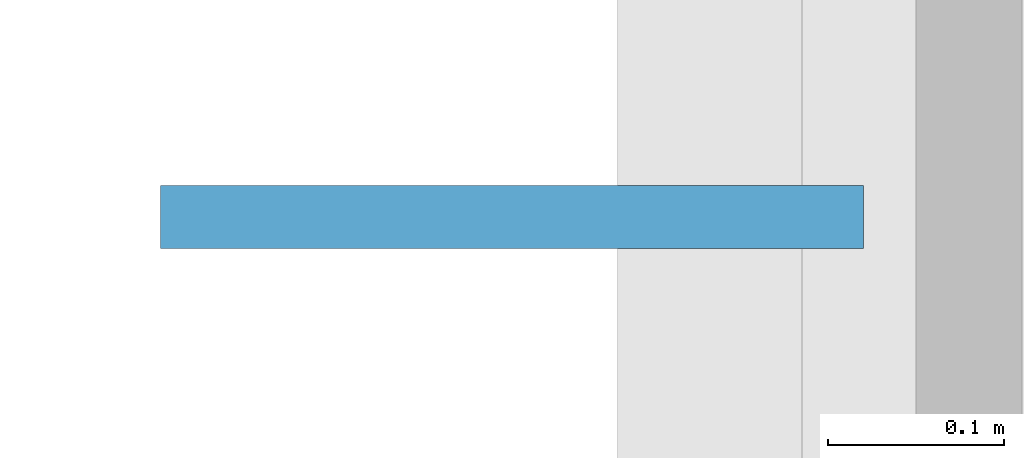
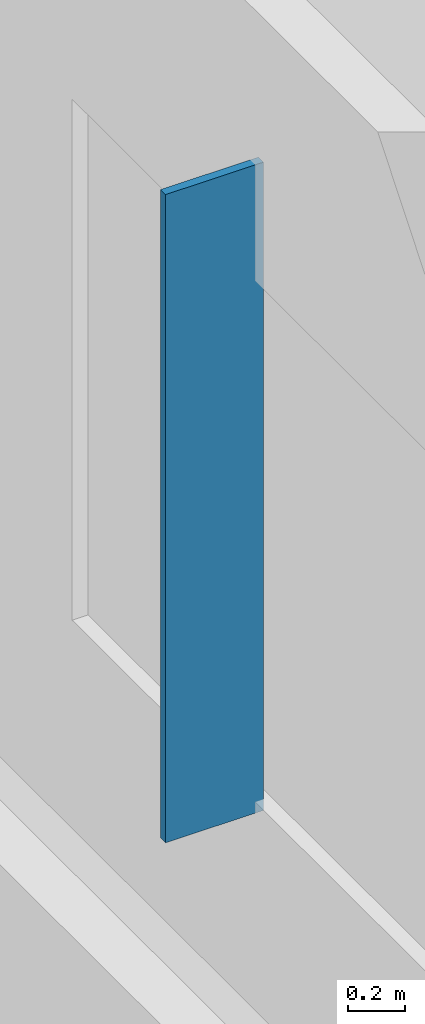
# One storey, part 109 of 175: 1 plate.
"""IFC4 building model written with IfcOpenShell, lengths in metres."""

import ifcopenshell
import ifcopenshell.guid

model = None  # the IFC model being written
_history = None  # IfcOwnerHistory: only IFC2X3 demands one
_inside = {}  # id of a spatial element -> (the spatial element, [elements in it])
_under = {}  # id of a project, library or spatial element -> (it, [spatial elements below it])
_declared = {}  # id of a project -> (the project, [libraries it declares])
_typed = {}  # id of a type object -> (the type object, [elements of that type])
_made_of = {}  # id of a material, layer set ... -> (it, [elements and type objects made of it])


def new_model(schema):
    """Start an empty IFC model of exactly this schema.

    Asked for "IFC4X3", IfcOpenShell would pick the latest addendum, in which some entities
    have other attributes; the version numbers below select the first issue.
    IFC2X3 requires an IfcOwnerHistory on every rooted entity: one is made here for all.
    """
    global model, _history
    if schema == "IFC4X3":
        model = ifcopenshell.file(schema_version=(4, 3, 0, 0))
    else:
        model = ifcopenshell.file(schema=schema)
    _inside.clear()
    _under.clear()
    _declared.clear()
    _typed.clear()
    _made_of.clear()
    _history = None
    if model.schema == "IFC2X3":
        org = make("IfcOrganization", Name="unknown")
        user = make(
            "IfcPersonAndOrganization",
            ThePerson=make("IfcPerson", FamilyName="unknown"),
            TheOrganization=org,
        )
        app = make(
            "IfcApplication",
            ApplicationDeveloper=org,
            Version="unknown",
            ApplicationFullName="unknown",
            ApplicationIdentifier="unknown",
        )
        _history = make(
            "IfcOwnerHistory",
            OwningUser=user,
            OwningApplication=app,
            ChangeAction="ADDED",
            CreationDate=0,
        )
    return model


def make(cls, **values):
    """One entity of the class cls with the attributes given. An attribute that is None is left unset."""
    return model.create_entity(
        cls, **{name: value for name, value in values.items() if value is not None}
    )


def rooted(cls, **values):
    """An entity with a GlobalId (a new one), such as an element, a storey or a relation."""
    return make(cls, GlobalId=ifcopenshell.guid.new(), OwnerHistory=_history, **values)


def si_unit(unit_type, name, prefix=None):
    """IfcSIUnit, for example si_unit("LENGTHUNIT", "METRE", prefix="MILLI")."""
    return make("IfcSIUnit", UnitType=unit_type, Prefix=prefix, Name=name)


def assignment(units):
    """IfcUnitAssignment: the units of a project."""
    return None if units is None else make("IfcUnitAssignment", Units=units)


def point(xyz):
    """IfcCartesianPoint."""
    return None if xyz is None else make("IfcCartesianPoint", Coordinates=xyz)


def direction(xyz):
    """IfcDirection."""
    return None if xyz is None else make("IfcDirection", DirectionRatios=xyz)


def frame(location, z_axis=None, x_axis=None):
    """IfcAxis2Placement3D, a coordinate frame: its origin and axes. An axis left out is left unset."""
    return make(
        "IfcAxis2Placement3D",
        Location=point(location),
        Axis=direction(z_axis),
        RefDirection=direction(x_axis),
    )


def frame_2d(location, x_axis=None):
    """IfcAxis2Placement2D, a coordinate frame in the plane: its origin and x axis."""
    return make(
        "IfcAxis2Placement2D", Location=point(location), RefDirection=direction(x_axis)
    )


def origin():
    """The frame at (0, 0, 0) with its axes left unset."""
    return frame((0.0, 0.0, 0.0))


def origin_2d():
    """The frame at (0, 0) in the plane with its x axis left unset."""
    return frame_2d((0.0, 0.0))


def place(relative_to, where):
    """IfcLocalPlacement: puts the frame where relative to a parent placement (None: the world)."""
    return make(
        "IfcLocalPlacement", PlacementRelTo=relative_to, RelativePlacement=where
    )


def context(
    kind, dimensions, precision=None, world=None, true_north=None, identifier=None
):
    """IfcGeometricRepresentationContext, for example the 3D "Model" context."""
    return make(
        "IfcGeometricRepresentationContext",
        ContextIdentifier=identifier,
        ContextType=kind,
        CoordinateSpaceDimension=dimensions,
        Precision=precision,
        WorldCoordinateSystem=world,
        TrueNorth=true_north,
    )


def subcontext(parent, identifier, kind, view, scale=None):
    """IfcGeometricRepresentationSubContext, for example "Body" below "Model"."""
    return make(
        "IfcGeometricRepresentationSubContext",
        ContextIdentifier=identifier,
        ContextType=kind,
        ParentContext=parent,
        TargetScale=scale,
        TargetView=view,
    )


def project(units=None, contexts=None):
    """IfcProject with its units and contexts."""
    return rooted(
        "IfcProject",
        Name="project",
        RepresentationContexts=contexts,
        UnitsInContext=assignment(units),
    )


def spatial(cls, under=None, at=None, **own):
    """A site, building, storey or space (cls), placed at a placement, below another one or the project."""
    s = rooted(cls, ObjectPlacement=at, **own)
    if under is not None:
        _under.setdefault(under.id(), (under, []))[1].append(s)
    return s


def profile(cls, at=None, kind="AREA", **sizes):
    """A parametric profile (cls). Its sizes go by their IFC names, for example OverallWidth=200.0."""
    return make(cls, ProfileType=kind, Position=at, **sizes)


def rectangle(**sizes):
    """IfcRectangleProfileDef."""
    return profile("IfcRectangleProfileDef", **sizes)


def extrude(swept, where, along, depth):
    """IfcExtrudedAreaSolid: the profile swept, set in the frame where, extruded along a direction by depth."""
    return make(
        "IfcExtrudedAreaSolid",
        SweptArea=swept,
        Position=where,
        ExtrudedDirection=direction(along),
        Depth=depth,
    )


def shape(context_of_items, identifier, shape_type, items):
    """IfcShapeRepresentation: the items that make up one representation, for example the "Body"."""
    return make(
        "IfcShapeRepresentation",
        ContextOfItems=context_of_items,
        RepresentationIdentifier=identifier,
        RepresentationType=shape_type,
        Items=items,
    )


def material(Name=None, Category=None):
    """IfcMaterial."""
    return make("IfcMaterial", Name=Name, Category=Category)


def layer(
    of_material, thickness, ventilated=None, Name=None, Category=None, Priority=None
):
    """IfcMaterialLayer: one layer of a wall or slab, of a material (None: an air gap)."""
    return make(
        "IfcMaterialLayer",
        Material=of_material,
        LayerThickness=thickness,
        IsVentilated=ventilated,
        Name=Name,
        Category=Category,
        Priority=Priority,
    )


def layer_set(layers, Name=None):
    """IfcMaterialLayerSet."""
    return make("IfcMaterialLayerSet", MaterialLayers=layers, LayerSetName=Name)


def made_of(thing, what):
    """Note that an element or type object is made of a material, layer set ...; save() writes the relation."""
    if what is not None:
        _made_of.setdefault(what.id(), (what, []))[1].append(thing)
    return thing


def type_object(cls, material=None, **own):
    """A type object (cls), such as IfcWallType, which elements share."""
    return made_of(rooted(cls, **own), material)


def element(
    cls,
    number,
    at=None,
    inside=None,
    cuts=None,
    type_object=None,
    material=None,
    context=None,
    identifier="Body",
    shape_type=None,
    held_by="IfcProductDefinitionShape",
    body=None,
    shapes=None,
    **own,
):
    """One element of the class cls, such as IfcWall. Its Tag is "e" and its number.

    at: its placement. inside: the storey or other place that contains it. cuts: it is an
    opening in that element (IfcRelVoidsElement). A single representation is given by context,
    identifier, shape_type and body (its items); several are given by shapes. held_by: the class
    of the entity that holds the representations. save() writes the other relations.
    """
    e = rooted(cls, Tag="e%d" % number, ObjectPlacement=at, **own)
    if body is not None:
        shapes = [shape(context, identifier, shape_type, body)]
    if shapes is not None:
        e.Representation = make(held_by, Representations=shapes)
    if inside is not None:
        _inside.setdefault(inside.id(), (inside, []))[1].append(e)
    if cuts is not None:
        rooted(
            "IfcRelVoidsElement", RelatingBuildingElement=cuts, RelatedOpeningElement=e
        )
    if type_object is not None:
        _typed.setdefault(type_object.id(), (type_object, []))[1].append(e)
    return made_of(e, material)


def aggregate(whole, parts):
    """IfcRelAggregates: a whole, such as a stair, and the parts it consists of."""
    return rooted("IfcRelAggregates", RelatingObject=whole, RelatedObjects=parts)


def save(model, path):
    """Write the relations noted so far, then the file.

    IfcRelAggregates (storeys below a building ...), IfcRelContainedInSpatialStructure (elements
    in a storey), IfcRelDefinesByType, IfcRelAssociatesMaterial and IfcRelDeclares: one each for
    every whole, place, type object, material and project.
    """
    for whole, parts in _under.values():
        aggregate(whole, parts)
    for where, things in _inside.values():
        rooted(
            "IfcRelContainedInSpatialStructure",
            RelatedElements=things,
            RelatingStructure=where,
        )
    for kind, things in _typed.values():
        rooted("IfcRelDefinesByType", RelatedObjects=things, RelatingType=kind)
    for what, things in _made_of.values():
        rooted("IfcRelAssociatesMaterial", RelatedObjects=things, RelatingMaterial=what)
    for by, libraries in _declared.values():
        rooted("IfcRelDeclares", RelatingContext=by, RelatedDefinitions=libraries)
    model.write(path)


model = new_model("IFC4")

# Units and contexts
model_context = context("Model", 3, precision=1e-05, world=origin(), true_north=direction((0.0, 1.0)))
body_context = subcontext(model_context, "Body", "Model", "MODEL_VIEW")
ifc_project = project(units=[si_unit("LENGTHUNIT", "METRE"), si_unit("AREAUNIT", "SQUARE_METRE"), si_unit("VOLUMEUNIT", "CUBIC_METRE"), si_unit("PLANEANGLEUNIT", "RADIAN"), si_unit("MASSUNIT", "GRAM", prefix="KILO")], contexts=[model_context])

# Site, building, storey
site_placement = place(None, origin())
site = spatial("IfcSite", under=ifc_project, at=site_placement, CompositionType="ELEMENT")
building_placement = place(site_placement, origin())
building = spatial("IfcBuilding", under=site, at=building_placement, Name="Brelvane Convention Centre", CompositionType="ELEMENT")
storey_placement = place(building_placement, frame((0.0, 0.0, 5.39990234375)))
storey = spatial("IfcBuildingStorey", under=building, at=storey_placement, Name="L01", CompositionType="ELEMENT", Elevation=5.39990234375)

# Plate
ifc_material = material(Name="Patinated Copper-Bronze Alloy C22000")
ifc_layer = layer(ifc_material, 0.035888671875)
ifc_layer_set = layer_set([ifc_layer], Name="Patinated Copper-Bronze Alloy C22000")
plate_type = type_object("IfcPlateType", Name="Monsoon Sun Fin FN-CU3", PredefinedType="USERDEFINED", material=ifc_layer_set)
plate_placement = place(storey_placement, frame((-0.260009765625, 123.0, 0.85009765625), z_axis=(0.0, 0.0, 1.0), x_axis=(1.0, 0.0, 0.0)))
element("IfcPlate", 1, at=plate_placement, inside=storey, type_object=plate_type, Name="West Monsoon Fin L01-118", ObjectType="SHADING_DEVICE", PredefinedType="USERDEFINED", context=body_context, shape_type="SweptSolid", body=[
    extrude(rectangle(XDim=0.39990234375, YDim=0.035888671875, at=origin_2d()), origin(), (0.0, 0.0, 1.0), 2.800048828125),
])

save(model, "model.ifc")
